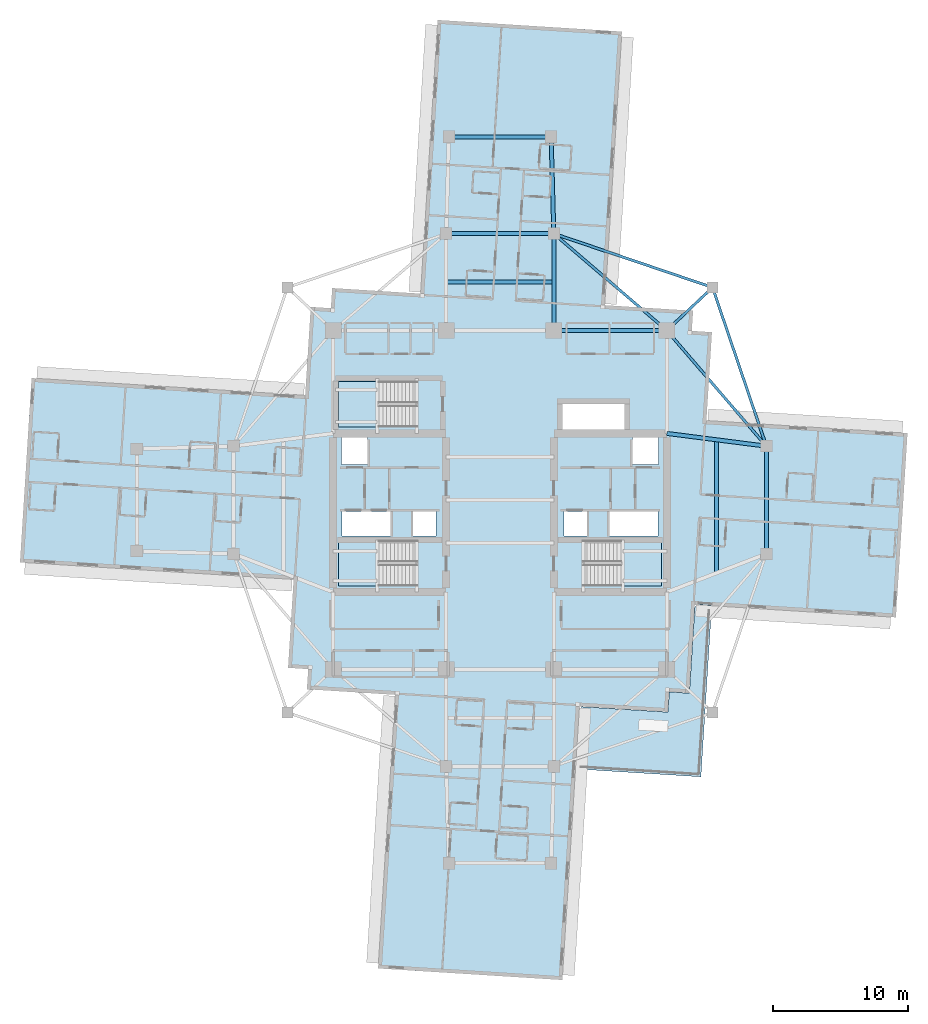
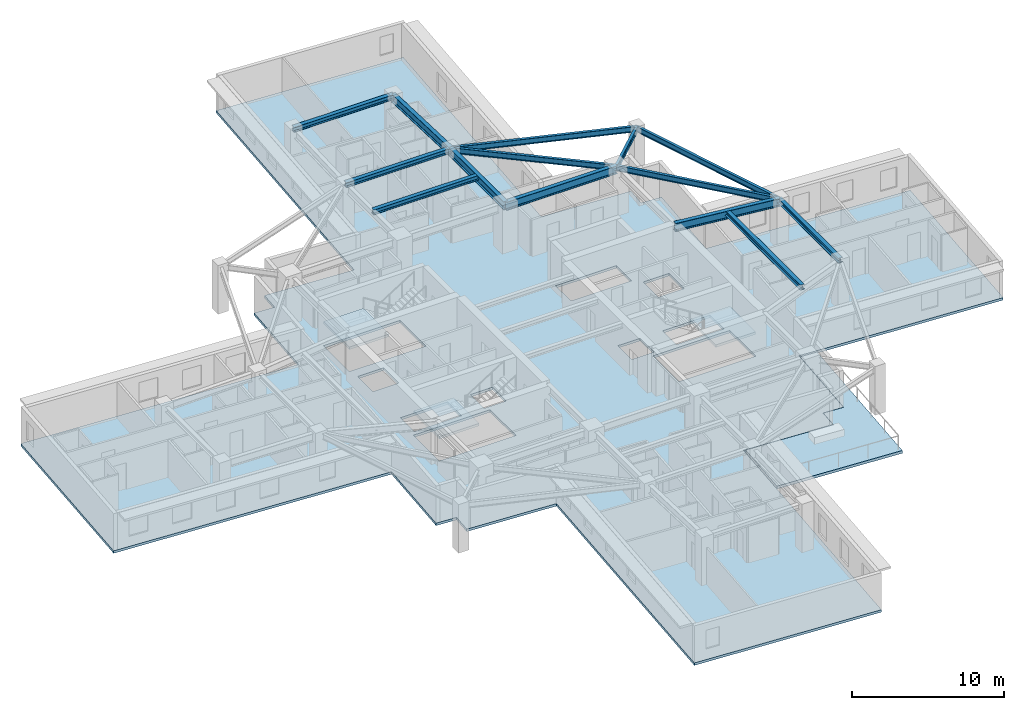
# One storey, part 2 of 14: 14 beams, 5 slabs, 3 elements without a shape of their own.
"""IFC4 building model written with IfcOpenShell, lengths in metres."""

from ifc_helpers import new_model, si_unit, direction, frame, origin, origin_2d, place, context, subcontext, project, spatial, polyline, i_section, outline, extrude, material, layer, layer_set, material_profile, profile_set, type_object, element, aggregate, save


model = new_model("IFC4")

# Units and contexts
model_context = context("Model", 3, precision=1e-05, world=origin(), true_north=direction((0.0, 1.0)))
body_context = subcontext(model_context, "Body", "Model", "MODEL_VIEW")
ifc_project = project(units=[si_unit("LENGTHUNIT", "METRE"), si_unit("AREAUNIT", "SQUARE_METRE"), si_unit("VOLUMEUNIT", "CUBIC_METRE"), si_unit("PLANEANGLEUNIT", "RADIAN"), si_unit("MASSUNIT", "GRAM", prefix="KILO")], contexts=[model_context])

# Site, building, storey
site_placement = place(None, origin())
site = spatial("IfcSite", under=ifc_project, at=site_placement, CompositionType="ELEMENT")
building_placement = place(site_placement, origin())
building = spatial("IfcBuilding", under=site, at=building_placement, Name="Qingluan Cross Belvedere", CompositionType="ELEMENT")
storey_placement = place(building_placement, frame((0.0, 0.0, 168.300048828125)))
storey = spatial("IfcBuildingStorey", under=building, at=storey_placement, Name="L42", CompositionType="ELEMENT", Elevation=168.300048828125)

# Beams
ifc_material_1 = material(Name="Steel Q420GJB", Category="steel")
ifc_material_profile_1 = material_profile(ifc_material_1, i_section(OverallWidth=0.300048828125, OverallDepth=0.389892578125, WebThickness=0.010009765625, FlangeThickness=0.01611328125, FilletRadius=0.01806640625, at=origin_2d()), Name="HM390x300x10x16")
ifc_profile_set_1 = profile_set([ifc_material_profile_1], Name="Steel Q420GJB")
beam_type_1 = type_object("IfcBeamType", Name="Steel_Beam_HM390x300x10x16", PredefinedType="BEAM", material=ifc_profile_set_1)
beam_1_placement = place(storey_placement, frame((19.800048828125, -4.0, 3.5048828125), z_axis=(0.0, 1.0, 0.0), x_axis=(-1.0, 0.0, 0.0)))
element("IfcBeam", 1, at=beam_1_placement, inside=storey, type_object=beam_type_1, Name="Arm E tie L42", PredefinedType="BEAM", context=body_context, shape_type="SweptSolid", body=[
    extrude(i_section(OverallWidth=0.300048828125, OverallDepth=0.389892578125, WebThickness=0.010009765625, FlangeThickness=0.01611328125, FilletRadius=0.01806640625, at=origin_2d()), origin(), (0.0, 0.0, 1.0), 8.0),
])
beam_2_placement = place(storey_placement, frame((16.10009765625, -5.425048828125, 3.5048828125), z_axis=(0.0, 1.0, 0.0), x_axis=(-1.0, 0.0, 0.0)))
element("IfcBeam", 2, at=beam_2_placement, inside=storey, type_object=beam_type_1, Name="Arm E beam L42", PredefinedType="BEAM", context=body_context, shape_type="SweptSolid", body=[
    extrude(i_section(OverallWidth=0.300048828125, OverallDepth=0.389892578125, WebThickness=0.010009765625, FlangeThickness=0.01611328125, FilletRadius=0.01806640625, at=origin_2d()), origin(), (0.0, 0.0, 1.0), 9.900146484375),
])
for number, where, z_axis, x_axis, name in (
    (3, (-4.0, 19.800048828125, 3.5048828125), (1.0, 0.0, 0.0), (0.0, 1.0, 0.0), "Arm N tie L42"),
    (4, (-4.0, 16.199951171875, 3.5048828125), (1.0, 0.0, 0.0), (0.0, 1.0, 0.0), "Arm N beam L42"),
):
    element("IfcBeam", number, at=place(storey_placement, frame(where, z_axis=z_axis, x_axis=x_axis)), inside=storey, type_object=beam_type_1, Name=name, PredefinedType="BEAM", context=body_context, shape_type="SweptSolid", body=[
        extrude(i_section(OverallWidth=0.300048828125, OverallDepth=0.389892578125, WebThickness=0.010009765625, FlangeThickness=0.01611328125, FilletRadius=0.01806640625, at=origin_2d()), origin(), (0.0, 0.0, 1.0), 8.0),
    ])
beam_3_placement = place(storey_placement, frame((-3.800048828125, 27.0, 3.5048828125), z_axis=(1.0, 0.0, 0.0), x_axis=(0.0, 1.0, 0.0)))
element("IfcBeam", 5, at=beam_3_placement, inside=storey, type_object=beam_type_1, Name="Arm N tip transverse beam L42", PredefinedType="BEAM", context=body_context, shape_type="SweptSolid", body=[
    extrude(i_section(OverallWidth=0.300048828125, OverallDepth=0.389892578125, WebThickness=0.010009765625, FlangeThickness=0.01611328125, FilletRadius=0.01806640625, at=origin_2d()), origin(), (0.0, 0.0, 1.0), 7.60009765625),
])
ifc_material_2 = material(Name="Steel Q420GJB", Category="steel")
ifc_material_profile_2 = material_profile(ifc_material_2, i_section(OverallWidth=0.199951171875, OverallDepth=0.449951171875, WebThickness=0.009033203125, FlangeThickness=0.013916015625, FilletRadius=0.01611328125, at=origin_2d()), Name="HN450x200x9x14")
ifc_profile_set_2 = profile_set([ifc_material_profile_2], Name="Steel Q420GJB")
beam_type_2 = type_object("IfcBeamType", Name="Steel_Beam_HN450x200x9x14", PredefinedType="JOIST", material=ifc_profile_set_2)
beam_4_placement = place(storey_placement, frame((12.39990234375, 12.60009765625, 3.474853515625), z_axis=(0.728219948308, 0.685343495546, 0.0), x_axis=(-0.685343495546, 0.728219948308, 0.0)))
element("IfcBeam", 6, at=beam_4_placement, inside=storey, type_object=beam_type_2, Name="Corner beam 1 L42-RNE", PredefinedType="JOIST", context=body_context, shape_type="SweptSolid", body=[
    extrude(i_section(OverallWidth=0.199951171875, OverallDepth=0.449951171875, WebThickness=0.009033203125, FlangeThickness=0.013916015625, FilletRadius=0.01611328125, at=origin_2d()), origin(), (0.0, 0.0, 1.0), 4.669189453125),
])
for number, where, z_axis, x_axis, name in (
    (7, (15.800048828125, 15.800048828125, 3.474853515625), (-0.947066283324, 0.321038089628, 0.0), (-0.321038089628, -0.947066283324, 0.0), "Corner beam 2 L42-RNE"),
    (8, (15.800048828125, 15.800048828125, 3.474853515625), (0.321038089628, -0.947066283324, 0.0), (0.947066283324, 0.321038089628, 0.0), "Corner beam 3 L42-RNE"),
):
    element("IfcBeam", number, at=place(storey_placement, frame(where, z_axis=z_axis, x_axis=x_axis)), inside=storey, type_object=beam_type_2, Name=name, PredefinedType="JOIST", context=body_context, shape_type="SweptSolid", body=[
        extrude(i_section(OverallWidth=0.199951171875, OverallDepth=0.449951171875, WebThickness=0.009033203125, FlangeThickness=0.013916015625, FilletRadius=0.01611328125, at=origin_2d()), origin(), (0.0, 0.0, 1.0), 12.45947265625),
    ])
beam_5_placement = place(storey_placement, frame((12.39990234375, 12.60009765625, 3.474853515625), z_axis=(0.652245077546, -0.75800815221, 0.0), x_axis=(0.75800815221, 0.652245077546, 0.0)))
element("IfcBeam", 9, at=beam_5_placement, inside=storey, type_object=beam_type_2, Name="Corner beam 4 L42-RNE", PredefinedType="JOIST", context=body_context, shape_type="SweptSolid", body=[
    extrude(i_section(OverallWidth=0.199951171875, OverallDepth=0.449951171875, WebThickness=0.009033203125, FlangeThickness=0.013916015625, FilletRadius=0.01611328125, at=origin_2d()), origin(), (0.0, 0.0, 1.0), 11.345703125),
])
beam_6_placement = place(storey_placement, frame((12.39990234375, 12.60009765625, 3.474853515625), z_axis=(-0.759255044656, 0.650793190779, 0.0), x_axis=(-0.650793190779, -0.759255044656, 0.0)))
element("IfcBeam", 10, at=beam_6_placement, inside=storey, type_object=beam_type_2, Name="Corner beam 5 L42-RNE", PredefinedType="JOIST", context=body_context, shape_type="SweptSolid", body=[
    extrude(i_section(OverallWidth=0.199951171875, OverallDepth=0.449951171875, WebThickness=0.009033203125, FlangeThickness=0.013916015625, FilletRadius=0.01611328125, at=origin_2d()), origin(), (0.0, 0.0, 1.0), 11.063232421875),
])
ifc_material_3 = material(Name="Steel Q420GJB", Category="steel")
ifc_material_profile_3 = material_profile(ifc_material_3, i_section(OverallWidth=0.300048828125, OverallDepth=0.64990234375, WebThickness=0.014404296875, FlangeThickness=0.02587890625, FilletRadius=0.027099609375, at=origin_2d()), Name="HEB650")
ifc_profile_set_3 = profile_set([ifc_material_profile_3], Name="Steel Q420GJB")
beam_type_3 = type_object("IfcBeamType", Name="Steel_Girder_HEB650", PredefinedType="USERDEFINED", material=ifc_profile_set_3)
beam_7_placement = place(storey_placement, frame((4.0, 12.60009765625, 3.375), z_axis=(1.0, 0.0, 0.0), x_axis=(0.0, 1.0, 0.0)))
element("IfcBeam", 11, at=beam_7_placement, inside=storey, type_object=beam_type_3, Name="Hub girder L42-HG-N3", ObjectType="GIRDER", PredefinedType="USERDEFINED", context=body_context, shape_type="SweptSolid", body=[
    extrude(i_section(OverallWidth=0.300048828125, OverallDepth=0.64990234375, WebThickness=0.014404296875, FlangeThickness=0.02587890625, FilletRadius=0.027099609375, at=origin_2d()), origin(), (0.0, 0.0, 1.0), 8.39990234375),
])
beam_8_placement = place(storey_placement, frame((12.39990234375, 4.949951171875, 3.375), z_axis=(0.991861120628, -0.12732445714, 0.0), x_axis=(0.12732445714, 0.991861120628, 0.0)))
element("IfcBeam", 12, at=beam_8_placement, inside=storey, type_object=beam_type_3, Name="Arm E radial girder B L42", ObjectType="GIRDER", PredefinedType="USERDEFINED", context=body_context, shape_type="SweptSolid", body=[
    extrude(i_section(OverallWidth=0.300048828125, OverallDepth=0.64990234375, WebThickness=0.014404296875, FlangeThickness=0.02587890625, FilletRadius=0.027099609375, at=origin_2d()), origin(), (0.0, 0.0, 1.0), 7.4609375),
])
beam_9_placement = place(storey_placement, frame((4.0, 12.60009765625, 3.375), z_axis=(0.0, 1.0, 0.0), x_axis=(-1.0, 0.0, 0.0)))
element("IfcBeam", 13, at=beam_9_placement, inside=storey, type_object=beam_type_3, Name="Arm N radial girder B L42", ObjectType="GIRDER", PredefinedType="USERDEFINED", context=body_context, shape_type="SweptSolid", body=[
    extrude(i_section(OverallWidth=0.300048828125, OverallDepth=0.64990234375, WebThickness=0.014404296875, FlangeThickness=0.02587890625, FilletRadius=0.027099609375, at=origin_2d()), origin(), (0.0, 0.0, 1.0), 7.199951171875),
])
beam_10_placement = place(storey_placement, frame((4.0, 19.800048828125, 3.375), z_axis=(-0.027760481514, 0.999614603568, 0.0), x_axis=(-0.999614603568, -0.027760481514, 0.0)))
element("IfcBeam", 14, at=beam_10_placement, inside=storey, type_object=beam_type_3, Name="Arm N outer radial girder B L42", ObjectType="GIRDER", PredefinedType="USERDEFINED", context=body_context, shape_type="SweptSolid", body=[
    extrude(i_section(OverallWidth=0.300048828125, OverallDepth=0.64990234375, WebThickness=0.014404296875, FlangeThickness=0.02587890625, FilletRadius=0.027099609375, at=origin_2d()), origin(), (0.0, 0.0, 1.0), 7.20263671875),
])

# Slab
ifc_material_4 = material(Name="Concrete C40", Category="concrete")
ifc_layer_1 = layer(ifc_material_4, 0.199951171875, Name="FloorSlab_200")
ifc_layer_set_1 = layer_set([ifc_layer_1], Name="Concrete C40")
slab_type_1 = type_object("IfcSlabType", Name="FloorSlab_200", PredefinedType="FLOOR", material=ifc_layer_set_1)
slab_1_placement = place(storey_placement, frame((0.0, 0.0, -0.199951171875)))
element("IfcSlab", 15, at=slab_1_placement, inside=storey, type_object=slab_type_1, Name="Structural floor slab L42", PredefinedType="FLOOR", context=body_context, shape_type="SweptSolid", body=[
    extrude(outline(polyline([(4.628662109375, -35.680908203125), (5.908447265625, -15.34130859375), (12.475341796875, -15.75439453125), (12.569580078125, -14.25732421875), (14.066650390625, -14.3515625), (14.479736328125, -7.78466796875), (29.43017578125, -8.72509765625), (30.291748046875, 4.9677734375), (15.34130859375, 5.908447265625), (15.75439453125, 12.475341796875), (14.25732421875, 12.569580078125), (14.3515625, 14.066650390625), (7.78466796875, 14.479736328125), (9.064208984375, 34.819580078125), (-4.628662109375, 35.680908203125), (-5.908447265625, 15.34130859375), (-12.475341796875, 15.75439453125), (-12.569580078125, 14.25732421875), (-14.066650390625, 14.3515625), (-14.479736328125, 7.78466796875), (-34.819580078125, 9.064208984375), (-35.680908203125, -4.628662109375), (-15.34130859375, -5.908447265625), (-15.75439453125, -12.475341796875), (-14.25732421875, -12.569580078125), (-14.3515625, -14.066650390625), (-7.78466796875, -14.479736328125), (-9.064208984375, -34.819580078125), (4.628662109375, -35.680908203125)]), holes=[polyline([(-12.0, -3.0), (-6.179931640625, -3.0), (-6.179931640625, -6.39990234375), (-12.0, -6.39990234375), (-12.0, -3.0)]), polyline([(6.179931640625, -3.0), (12.0, -3.0), (12.0, -6.39990234375), (6.179931640625, -6.39990234375), (6.179931640625, -3.0)]), polyline([(-12.0, 8.820068359375), (-6.179931640625, 8.820068359375), (-6.179931640625, 5.419921875), (-12.0, 5.419921875), (-12.0, 8.820068359375)]), polyline([(-11.800048828125, 4.64990234375), (-9.85009765625, 4.64990234375), (-9.85009765625, 2.64990234375), (-11.800048828125, 2.64990234375), (-11.800048828125, 4.64990234375)]), polyline([(9.85009765625, 4.64990234375), (11.800048828125, 4.64990234375), (11.800048828125, 2.64990234375), (9.85009765625, 2.64990234375), (9.85009765625, 4.64990234375)]), polyline([(-11.75, -0.840087890625), (-8.14990234375, -0.840087890625), (-8.14990234375, -2.659912109375), (-11.75, -2.659912109375), (-11.75, -0.840087890625)]), polyline([(-6.449951171875, -0.840087890625), (-4.75, -0.840087890625), (-4.75, -2.659912109375), (-6.449951171875, -2.659912109375), (-6.449951171875, -0.840087890625)]), polyline([(4.75, -0.840087890625), (6.449951171875, -0.840087890625), (6.449951171875, -2.659912109375), (4.75, -2.659912109375), (4.75, -0.840087890625)]), polyline([(8.14990234375, -0.840087890625), (11.75, -0.840087890625), (11.75, -2.659912109375), (8.14990234375, -2.659912109375), (8.14990234375, -0.840087890625)]), polyline([(4.64990234375, 7.14990234375), (9.25, 7.14990234375), (9.25, 5.14990234375), (4.64990234375, 5.14990234375), (4.64990234375, 7.14990234375)])]), origin(), (0.0, 0.0, 1.0), 0.199951171875),
])

# Stair, slab
ifc_material_5 = material(Name="Concrete C40", Category="concrete")
stair_type = type_object("IfcStairType", Name="CoreDoglegStair_1620", PredefinedType="HALF_TURN_STAIR", material=ifc_material_5)
stair_1_placement = place(storey_placement, origin())
stair_1 = element("IfcStair", 16, at=stair_1_placement, inside=storey, type_object=stair_type, Name="L42 ST1", PredefinedType="HALF_TURN_STAIR")
ifc_material_6 = material(Name="Concrete C40", Category="concrete")
ifc_layer_2 = layer(ifc_material_6, 0.179931640625, Name="StairLandingSlab_180")
ifc_layer_set_2 = layer_set([ifc_layer_2], Name="Concrete C40")
slab_type_2 = type_object("IfcSlabType", Name="StairLandingSlab_180", PredefinedType="LANDING", material=ifc_layer_set_2)
slab_2_placement = place(storey_placement, frame((0.0, 0.0, 1.75)))
slab_2 = element("IfcSlab", 17, at=slab_2_placement, type_object=slab_type_2, Name="ST1 landing 1", PredefinedType="LANDING", context=body_context, shape_type="SweptSolid", body=[
    extrude(outline(polyline([(-8.97998046875, -3.0), (-12.0, -3.0), (-12.0, -6.39990234375), (-8.97998046875, -6.39990234375), (-8.97998046875, -3.0)])), origin(), (0.0, 0.0, 1.0), 0.199951171875),
])
aggregate(stair_1, [slab_2])

stair_2_placement = place(storey_placement, origin())
stair_2 = element("IfcStair", 18, at=stair_2_placement, inside=storey, type_object=stair_type, Name="L42 ST2", PredefinedType="HALF_TURN_STAIR")
slab_3_placement = place(storey_placement, frame((0.0, 0.0, 1.75)))
slab_3 = element("IfcSlab", 19, at=slab_3_placement, type_object=slab_type_2, Name="ST2 landing 1", PredefinedType="LANDING", context=body_context, shape_type="SweptSolid", body=[
    extrude(outline(polyline([(8.97998046875, -6.39990234375), (12.0, -6.39990234375), (12.0, -3.0), (8.97998046875, -3.0), (8.97998046875, -6.39990234375)])), origin(), (0.0, 0.0, 1.0), 0.199951171875),
])
aggregate(stair_2, [slab_3])

stair_3_placement = place(storey_placement, origin())
stair_3 = element("IfcStair", 20, at=stair_3_placement, inside=storey, type_object=stair_type, Name="L42 ST3", PredefinedType="HALF_TURN_STAIR")
slab_4_placement = place(storey_placement, frame((0.0, 0.0, 1.75)))
slab_4 = element("IfcSlab", 21, at=slab_4_placement, type_object=slab_type_2, Name="ST3 landing 1", PredefinedType="LANDING", context=body_context, shape_type="SweptSolid", body=[
    extrude(outline(polyline([(-8.97998046875, 8.820068359375), (-12.0, 8.820068359375), (-12.0, 5.419921875), (-8.97998046875, 5.419921875), (-8.97998046875, 8.820068359375)])), origin(), (0.0, 0.0, 1.0), 0.199951171875),
])
aggregate(stair_3, [slab_4])

# Slab
ifc_material_7 = material(Name="Concrete C40", Category="concrete")
ifc_layer_3 = layer(ifc_material_7, 0.219970703125, Name="TerraceSlab_220")
ifc_layer_set_3 = layer_set([ifc_layer_3], Name="Concrete C40")
slab_type_3 = type_object("IfcSlabType", Name="TerraceSlab_220", PredefinedType="FLOOR", material=ifc_layer_set_3)
slab_5_placement = place(storey_placement, frame((0.0, 0.0, -0.219970703125)))
element("IfcSlab", 22, at=slab_5_placement, inside=storey, type_object=slab_type_3, Name="Spiralling winter-garden terrace slab L42", PredefinedType="FLOOR", context=body_context, shape_type="SweptSolid", body=[
    extrude(outline(polyline([(14.48095703125, -7.9248046875), (14.07470703125, -14.357666015625), (12.578857421875, -14.26806640625), (12.4853515625, -15.755126953125), (12.476806640625, -15.764404296875), (6.047607421875, -15.360107421875), (5.755615234375, -20.0009765625), (14.937255859375, -20.57861328125), (15.728515625, -8.00341796875), (14.48095703125, -7.9248046875)])), origin(), (0.0, 0.0, 1.0), 0.219970703125),
])

save(model, "model.ifc")
